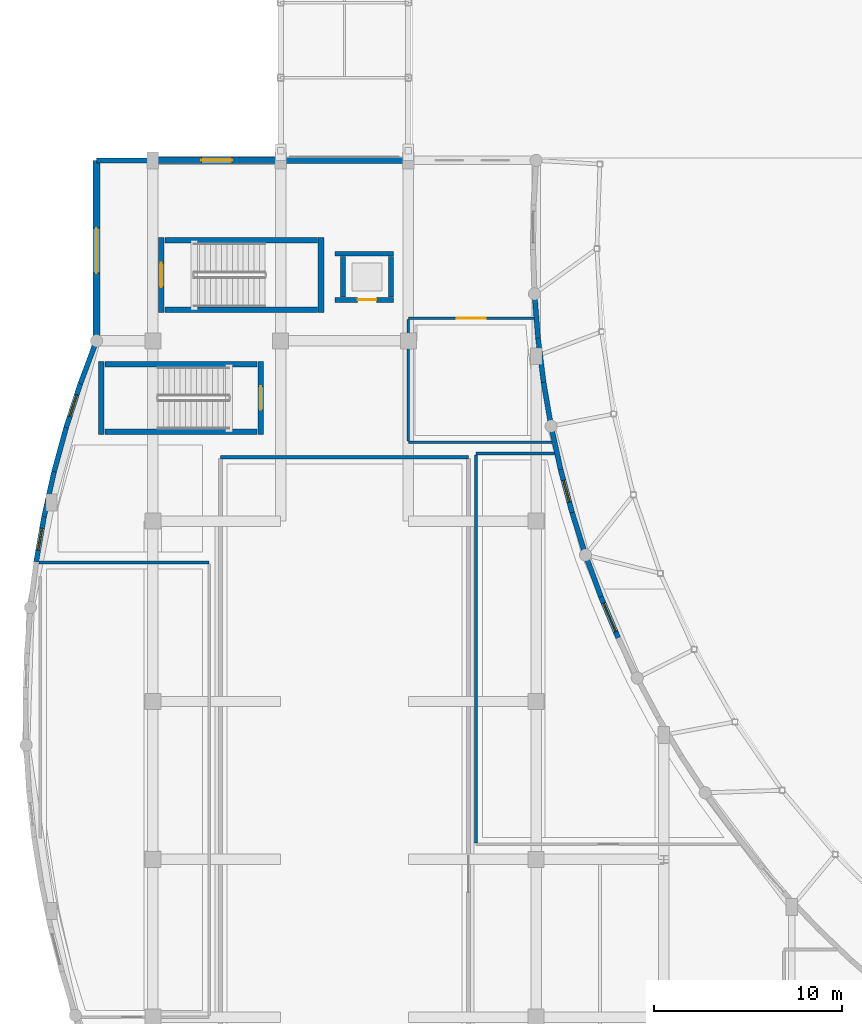
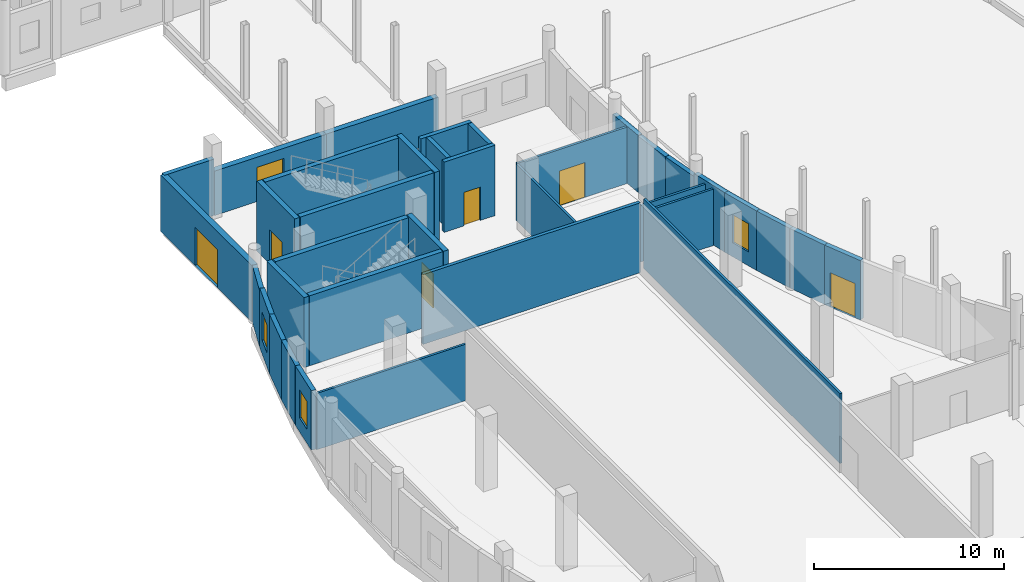
# One storey, part 62 of 97: 36 walls, 7 doors, 3 windows, 10 openings.
"""IFC4 building model written with IfcOpenShell, lengths in metres."""

from ifc_helpers import new_model, si_unit, direction, frame, frame_2d, origin, place, context, subcontext, project, spatial, rectangle, extrude, material, layer, layer_set, type_object, element, fill, save


model = new_model("IFC4")

# Units and contexts
model_context = context("Model", 3, precision=1e-05, world=origin(), true_north=direction((0.0, 1.0)))
body_context = subcontext(model_context, "Body", "Model", "MODEL_VIEW")
ifc_project = project(units=[si_unit("LENGTHUNIT", "METRE"), si_unit("AREAUNIT", "SQUARE_METRE"), si_unit("VOLUMEUNIT", "CUBIC_METRE"), si_unit("PLANEANGLEUNIT", "RADIAN"), si_unit("MASSUNIT", "GRAM", prefix="KILO")], contexts=[model_context])

# Site, building, storey
site_placement = place(None, origin())
site = spatial("IfcSite", under=ifc_project, at=site_placement, CompositionType="ELEMENT")
building_placement = place(site_placement, origin())
building = spatial("IfcBuilding", under=site, at=building_placement, Name="Kisaragi Civic Commons", CompositionType="ELEMENT")
storey_placement = place(building_placement, origin())
storey = spatial("IfcBuildingStorey", under=building, at=storey_placement, Name="L00", CompositionType="ELEMENT", Elevation=0.0)

# Wall, opening, door
ifc_material_1 = material(Name="Insulated Tokoname terracotta cavity wall", Category="masonry")
ifc_layer_1 = layer(ifc_material_1, 0.35009765625, Name="Insulated Tokoname terracotta cavity wall", Category="masonry")
ifc_layer_set_1 = layer_set([ifc_layer_1], Name="Insulated Tokoname terracotta cavity wall")
wall_type_1 = type_object("IfcWallType", Name="EW-02", PredefinedType="STANDARD", material=ifc_layer_set_1)
wall_1_placement = place(storey_placement, frame((3.800048828125, 52.800048828125, 0.0), z_axis=(0.0, 0.0, 1.0), x_axis=(0.0, 1.0, 0.0)))
wall_1 = element("IfcWall", 1, at=wall_1_placement, inside=storey, type_object=wall_type_1, Name="V1 L00 exterior terracotta wall EW-02 60", PredefinedType="STANDARD", context=body_context, shape_type="SweptSolid", body=[
    extrude(rectangle(XDim=9.599853515625, YDim=0.35009765625, at=frame_2d((4.7998046875, 0.0))), origin(), (0.0, 0.0, 1.0), 3.6201171875),
])
opening_1_placement = place(wall_1_placement, frame((3.60009765625, 0.0, 0.0)))
opening_1 = element("IfcOpeningElement", 2, at=opening_1_placement, cuts=wall_1, Name="Opening ED-C", PredefinedType="OPENING", context=body_context, shape_type="SweptSolid", body=[
    extrude(rectangle(XDim=2.39990234375, YDim=2.449951171875, at=frame_2d((1.199951171875, 1.22509765625))), frame((0.0, 0.18505859375, 0.0), z_axis=(0.0, -1.0, 0.0), x_axis=(1.0, 0.0, 0.0)), (0.0, 0.0, 1.0), 0.3701171875),
])
ifc_material_2 = material(Name="Thermally broken anodized aluminium glazed exit door", Category="aluminium")
door_type_1 = type_object("IfcDoorType", Name="ED-C", OperationType="NOTDEFINED", PredefinedType="DOOR", material=ifc_material_2)
door_1_placement = place(opening_1_placement, origin())
door_1 = element("IfcDoor", 3, at=door_1_placement, inside=storey, type_object=door_type_1, Name="Ground exterior exit and veranda door ED-C 04", OperationType="DOUBLE_DOOR_SINGLE_SWING", OverallHeight=2.449951171875, OverallWidth=2.39990234375, PredefinedType="DOOR", context=body_context, shape_type="SweptSolid", body=[
    extrude(rectangle(XDim=2.39990234375, YDim=2.449951171875, at=frame_2d((1.199951171875, 1.22509765625))), frame((0.0, 0.02490234375, 0.0), z_axis=(0.0, -1.0, 0.0), x_axis=(1.0, 0.0, 0.0)), (0.0, 0.0, 1.0), 0.050048828125),
])
fill(opening_1, door_1)

wall_2_placement = place(storey_placement, frame((6.800048828125, 62.39990234375, 0.0), z_axis=(0.0, 0.0, 1.0), x_axis=(1.0, 0.0, 0.0)))
wall_2 = element("IfcWall", 4, at=wall_2_placement, inside=storey, type_object=wall_type_1, Name="V1 L00 exterior terracotta wall EW-02 62", PredefinedType="STANDARD", context=body_context, shape_type="SweptSolid", body=[
    extrude(rectangle(XDim=6.800048828125, YDim=0.35009765625, at=frame_2d((3.39990234375, 0.0))), origin(), (0.0, 0.0, 1.0), 2.85498046875),
])
opening_2_placement = place(wall_2_placement, frame((2.574951171875, 0.0, 0.0)))
opening_2 = element("IfcOpeningElement", 5, at=opening_2_placement, cuts=wall_2, Name="Opening ED-D", PredefinedType="OPENING", context=body_context, shape_type="SweptSolid", body=[
    extrude(rectangle(XDim=1.64990234375, YDim=2.199951171875, at=frame_2d((0.824951171875, 1.10009765625))), frame((0.0, 0.18505859375, 0.0), z_axis=(0.0, -1.0, 0.0), x_axis=(1.0, 0.0, 0.0)), (0.0, 0.0, 1.0), 0.3701171875),
])
door_type_2 = type_object("IfcDoorType", Name="ED-D", OperationType="NOTDEFINED", PredefinedType="DOOR", material=ifc_material_2)
door_2_placement = place(opening_2_placement, origin())
door_2 = element("IfcDoor", 6, at=door_2_placement, inside=storey, type_object=door_type_2, Name="Ground exterior exit and veranda door ED-D 05", OperationType="DOUBLE_DOOR_SINGLE_SWING", OverallHeight=2.199951171875, OverallWidth=1.64990234375, PredefinedType="DOOR", context=body_context, shape_type="SweptSolid", body=[
    extrude(rectangle(XDim=1.64990234375, YDim=2.199951171875, at=frame_2d((0.824951171875, 1.10009765625))), frame((0.0, 0.02490234375, 0.0), z_axis=(0.0, -1.0, 0.0), x_axis=(1.0, 0.0, 0.0)), (0.0, 0.0, 1.0), 0.050048828125),
])
fill(opening_2, door_2)

# Walls
ifc_layer_2 = layer(ifc_material_1, 0.26806640625, Name="Insulated Tokoname terracotta cavity wall", Category="masonry")
ifc_layer_set_2 = layer_set([ifc_layer_2], Name="Insulated Tokoname terracotta cavity wall")
wall_type_2 = type_object("IfcWallType", Name="EW-04", PredefinedType="STANDARD", material=ifc_layer_set_2)
wall_3_placement = place(storey_placement, frame((27.114501953125, 55.30029296875, 0.0), z_axis=(0.0, 0.0, 1.0), x_axis=(0.078966698752, -0.996877254474, 0.0)))
element("IfcWall", 7, at=wall_3_placement, inside=storey, type_object=wall_type_2, Name="V1 L00 exterior terracotta wall EW-04 4", PredefinedType="STANDARD", context=body_context, shape_type="SweptSolid", body=[
    extrude(rectangle(XDim=2.3681640625, YDim=0.26806640625, at=frame_2d((1.18408203125, 0.0))), origin(), (0.0, 0.0, 1.0), 3.669921875),
])
wall_4_placement = place(storey_placement, frame((27.301513671875, 52.939453125, 0.0), z_axis=(0.0, 0.0, 1.0), x_axis=(0.124212348728, -0.992255658801, 0.0)))
element("IfcWall", 8, at=wall_4_placement, inside=storey, type_object=wall_type_2, Name="V1 L00 exterior terracotta wall EW-04 5", PredefinedType="STANDARD", context=body_context, shape_type="SweptSolid", body=[
    extrude(rectangle(XDim=2.368408203125, YDim=0.26806640625, at=frame_2d((1.18408203125, 0.0))), origin(), (0.0, 0.0, 1.0), 3.6201171875),
])
wall_5_placement = place(storey_placement, frame((27.595703125, 50.58935546875, 0.0), z_axis=(0.0, 0.0, 1.0), x_axis=(0.169378698951, -0.985551041977, 0.0)))
element("IfcWall", 9, at=wall_5_placement, inside=storey, type_object=wall_type_2, Name="V1 L00 exterior terracotta wall EW-04 6", PredefinedType="STANDARD", context=body_context, shape_type="SweptSolid", body=[
    extrude(rectangle(XDim=2.3681640625, YDim=0.26806640625, at=frame_2d((1.18408203125, 0.0))), origin(), (0.0, 0.0, 1.0), 3.6201171875),
])
wall_6_placement = place(storey_placement, frame((27.996826171875, 48.25537109375, 0.0), z_axis=(0.0, 0.0, 1.0), x_axis=(0.214004297627, -0.97683271884, 0.0)))
element("IfcWall", 10, at=wall_6_placement, inside=storey, type_object=wall_type_2, Name="V1 L00 exterior terracotta wall EW-04 7", PredefinedType="STANDARD", context=body_context, shape_type="SweptSolid", body=[
    extrude(rectangle(XDim=2.368408203125, YDim=0.26806640625, at=frame_2d((1.18408203125, 0.0))), origin(), (0.0, 0.0, 1.0), 3.820068359375),
])

# Wall, opening, window
wall_7_placement = place(storey_placement, frame((28.503662109375, 45.94189453125, 0.0), z_axis=(0.0, 0.0, 1.0), x_axis=(0.258316996005, -0.966060210119, 0.0)))
wall_7 = element("IfcWall", 11, at=wall_7_placement, inside=storey, type_object=wall_type_2, Name="V1 L00 exterior terracotta wall EW-04 8", PredefinedType="STANDARD", context=body_context, shape_type="SweptSolid", body=[
    extrude(rectangle(XDim=2.368408203125, YDim=0.26806640625, at=frame_2d((1.18408203125, 0.0))), origin(), (0.0, 0.0, 1.0), 3.820068359375),
])
opening_3_placement = place(wall_7_placement, frame((0.584228515625, 0.0, 0.89990234375)))
opening_3 = element("IfcOpeningElement", 12, at=opening_3_placement, cuts=wall_7, Name="Opening W-05", PredefinedType="OPENING", context=body_context, shape_type="SweptSolid", body=[
    extrude(rectangle(XDim=1.199951171875, YDim=1.800048828125, at=frame_2d((0.60009765625, 0.89990234375))), frame((0.0, 0.14404296875, 0.0), z_axis=(0.0, -1.0, 0.0), x_axis=(1.0, 0.0, 0.0)), (0.0, 0.0, 1.0), 0.2880859375),
])
ifc_material_3 = material(Name="Thermally broken aluminium frame and low-E argon double glazing", Category="aluminium")
window_type = type_object("IfcWindowType", Name="W-05", PartitioningType="SINGLE_PANEL", PredefinedType="WINDOW", material=ifc_material_3)
window_1_placement = place(opening_3_placement, origin())
window_1 = element("IfcWindow", 13, at=window_1_placement, inside=storey, type_object=window_type, Name="V1 L00 window W-05 1", OverallHeight=1.800048828125, OverallWidth=1.199951171875, PartitioningType="SINGLE_PANEL", PredefinedType="WINDOW", context=body_context, shape_type="SweptSolid", body=[
    extrude(rectangle(XDim=1.199951171875, YDim=1.800048828125, at=frame_2d((0.60009765625, 0.89990234375))), frame((0.0, 0.030029296875, 0.0), z_axis=(0.0, -1.0, 0.0), x_axis=(1.0, 0.0, 0.0)), (0.0, 0.0, 1.0), 0.06005859375),
])
fill(opening_3, window_1)

# Walls
for number, where, z_axis, x_axis, name in (
    (14, (29.115478515625, 43.65380859375, 0.0), (0.0, 0.0, 1.0), (0.301935426288, -0.953328379076, 0.0), "V1 L00 exterior terracotta wall EW-04 9"),
    (15, (29.83056640625, 41.39599609375, 0.0), (0.0, 0.0, 1.0), (0.345117725034, -0.938559404549, 0.0), "V1 L00 exterior terracotta wall EW-04 10"),
):
    element("IfcWall", number, at=place(storey_placement, frame(where, z_axis=z_axis, x_axis=x_axis)), inside=storey, type_object=wall_type_2, Name=name, PredefinedType="STANDARD", context=body_context, shape_type="SweptSolid", body=[
        extrude(rectangle(XDim=2.368408203125, YDim=0.26806640625, at=frame_2d((1.18408203125, 0.0))), origin(), (0.0, 0.0, 1.0), 3.820068359375),
    ])

# Wall, opening, door
wall_8_placement = place(storey_placement, frame((30.64794921875, 39.173095703125, 0.0), z_axis=(0.0, 0.0, 1.0), x_axis=(0.387526916132, -0.921858388948, 0.0)))
wall_8 = element("IfcWall", 16, at=wall_8_placement, inside=storey, type_object=wall_type_2, Name="V1 L00 exterior terracotta wall EW-04 11", PredefinedType="STANDARD", context=body_context, shape_type="SweptSolid", body=[
    extrude(rectangle(XDim=2.3681640625, YDim=0.26806640625, at=frame_2d((1.18408203125, 0.0))), origin(), (0.0, 0.0, 1.0), 3.820068359375),
])
opening_4_placement = place(wall_8_placement, frame((0.359130859375, 0.0, 0.0)))
opening_4 = element("IfcOpeningElement", 17, at=opening_4_placement, cuts=wall_8, Name="Opening ED-D", PredefinedType="OPENING", context=body_context, shape_type="SweptSolid", body=[
    extrude(rectangle(XDim=1.64990234375, YDim=2.199951171875, at=frame_2d((0.824951171875, 1.10009765625))), frame((0.0, 0.14404296875, 0.0), z_axis=(0.0, -1.0, 0.0), x_axis=(1.0, 0.0, 0.0)), (0.0, 0.0, 1.0), 0.2880859375),
])
door_3_placement = place(opening_4_placement, origin())
door_3 = element("IfcDoor", 18, at=door_3_placement, inside=storey, type_object=door_type_2, Name="Ground exterior exit and veranda door ED-D 01", OperationType="DOUBLE_DOOR_SINGLE_SWING", OverallHeight=2.199951171875, OverallWidth=1.64990234375, PredefinedType="DOOR", context=body_context, shape_type="SweptSolid", body=[
    extrude(rectangle(XDim=1.64990234375, YDim=2.199951171875, at=frame_2d((0.824951171875, 1.10009765625))), frame((0.0, 0.02490234375, 0.0), z_axis=(0.0, -1.0, 0.0), x_axis=(1.0, 0.0, 0.0)), (0.0, 0.0, 1.0), 0.050048828125),
])
fill(opening_4, door_3)

# Wall, opening, window
wall_9_placement = place(storey_placement, frame((0.587158203125, 41.030517578125, 0.0), z_axis=(0.0, 0.0, 1.0), x_axis=(0.171518128885, 0.985180963815, 0.0)))
wall_9 = element("IfcWall", 19, at=wall_9_placement, inside=storey, type_object=wall_type_2, Name="V1 L00 exterior terracotta wall EW-04 55", PredefinedType="STANDARD", context=body_context, shape_type="SweptSolid", body=[
    extrude(rectangle(XDim=2.4453125, YDim=0.26806640625, at=frame_2d((1.22265625, 0.0))), origin(), (0.0, 0.0, 1.0), 3.820068359375),
])
opening_5_placement = place(wall_9_placement, frame((0.622802734375, 0.0, 0.89990234375)))
opening_5 = element("IfcOpeningElement", 20, at=opening_5_placement, cuts=wall_9, Name="Opening W-05", PredefinedType="OPENING", context=body_context, shape_type="SweptSolid", body=[
    extrude(rectangle(XDim=1.199951171875, YDim=1.800048828125, at=frame_2d((0.60009765625, 0.89990234375))), frame((0.0, 0.14404296875, 0.0), z_axis=(0.0, -1.0, 0.0), x_axis=(1.0, 0.0, 0.0)), (0.0, 0.0, 1.0), 0.2880859375),
])
window_2_placement = place(opening_5_placement, origin())
window_2 = element("IfcWindow", 21, at=window_2_placement, inside=storey, type_object=window_type, Name="V1 L00 window W-05 15", OverallHeight=1.800048828125, OverallWidth=1.199951171875, PartitioningType="SINGLE_PANEL", PredefinedType="WINDOW", context=body_context, shape_type="SweptSolid", body=[
    extrude(rectangle(XDim=1.199951171875, YDim=1.800048828125, at=frame_2d((0.60009765625, 0.89990234375))), frame((0.0, 0.030029296875, 0.0), z_axis=(0.0, -1.0, 0.0), x_axis=(1.0, 0.0, 0.0)), (0.0, 0.0, 1.0), 0.06005859375),
])
fill(opening_5, window_2)

# Walls
wall_10_placement = place(storey_placement, frame((1.006591796875, 43.439697265625, 0.0), z_axis=(0.0, 0.0, 1.0), x_axis=(0.217744347035, 0.976005839805, 0.0)))
element("IfcWall", 22, at=wall_10_placement, inside=storey, type_object=wall_type_2, Name="V1 L00 exterior terracotta wall EW-04 56", PredefinedType="STANDARD", context=body_context, shape_type="SweptSolid", body=[
    extrude(rectangle(XDim=2.4453125, YDim=0.26806640625, at=frame_2d((1.22265625, 0.0))), origin(), (0.0, 0.0, 1.0), 3.820068359375),
])
wall_11_placement = place(storey_placement, frame((1.5390625, 45.826416015625, 0.0), z_axis=(0.0, 0.0, 1.0), x_axis=(0.26336237485, 0.964696978078, 0.0)))
element("IfcWall", 23, at=wall_11_placement, inside=storey, type_object=wall_type_2, Name="V1 L00 exterior terracotta wall EW-04 57", PredefinedType="STANDARD", context=body_context, shape_type="SweptSolid", body=[
    extrude(rectangle(XDim=2.445556640625, YDim=0.26806640625, at=frame_2d((1.22265625, 0.0))), origin(), (0.0, 0.0, 1.0), 3.820068359375),
])

# Wall, opening, window
wall_12_placement = place(storey_placement, frame((2.18310546875, 48.185546875, 0.0), z_axis=(0.0, 0.0, 1.0), x_axis=(0.308399711146, 0.951256862349, 0.0)))
wall_12 = element("IfcWall", 24, at=wall_12_placement, inside=storey, type_object=wall_type_2, Name="V1 L00 exterior terracotta wall EW-04 58", PredefinedType="STANDARD", context=body_context, shape_type="SweptSolid", body=[
    extrude(rectangle(XDim=2.4453125, YDim=0.26806640625, at=frame_2d((1.22265625, 0.0))), origin(), (0.0, 0.0, 1.0), 3.820068359375),
])
opening_6_placement = place(wall_12_placement, frame((0.622802734375, 0.0, 0.89990234375)))
opening_6 = element("IfcOpeningElement", 25, at=opening_6_placement, cuts=wall_12, Name="Opening W-05", PredefinedType="OPENING", context=body_context, shape_type="SweptSolid", body=[
    extrude(rectangle(XDim=1.199951171875, YDim=1.800048828125, at=frame_2d((0.60009765625, 0.89990234375))), frame((0.0, 0.14404296875, 0.0), z_axis=(0.0, -1.0, 0.0), x_axis=(1.0, 0.0, 0.0)), (0.0, 0.0, 1.0), 0.2880859375),
])
window_3_placement = place(opening_6_placement, origin())
window_3 = element("IfcWindow", 26, at=window_3_placement, inside=storey, type_object=window_type, Name="V1 L00 window W-05 16", OverallHeight=1.800048828125, OverallWidth=1.199951171875, PartitioningType="SINGLE_PANEL", PredefinedType="WINDOW", context=body_context, shape_type="SweptSolid", body=[
    extrude(rectangle(XDim=1.199951171875, YDim=1.800048828125, at=frame_2d((0.60009765625, 0.89990234375))), frame((0.0, 0.030029296875, 0.0), z_axis=(0.0, -1.0, 0.0), x_axis=(1.0, 0.0, 0.0)), (0.0, 0.0, 1.0), 0.06005859375),
])
fill(opening_6, window_3)

# Walls
wall_13_placement = place(storey_placement, frame((2.937255859375, 50.51171875, 0.0), z_axis=(0.0, 0.0, 1.0), x_axis=(0.352796730639, 0.93569998763, 0.0)))
element("IfcWall", 27, at=wall_13_placement, inside=storey, type_object=wall_type_2, Name="V1 L00 exterior terracotta wall EW-04 59", PredefinedType="STANDARD", context=body_context, shape_type="SweptSolid", body=[
    extrude(rectangle(XDim=2.445556640625, YDim=0.26806640625, at=frame_2d((1.22265625, 0.0))), origin(), (0.0, 0.0, 1.0), 3.6201171875),
])
wall_14_placement = place(storey_placement, frame((3.800048828125, 62.39990234375, 0.0), z_axis=(0.0, 0.0, 1.0), x_axis=(1.0, 0.0, 0.0)))
element("IfcWall", 28, at=wall_14_placement, inside=storey, type_object=wall_type_2, Name="V1 L00 exterior terracotta wall EW-04 61", PredefinedType="STANDARD", context=body_context, shape_type="SweptSolid", body=[
    extrude(rectangle(XDim=3.0, YDim=0.26806640625, at=frame_2d((1.5, 0.0))), origin(), (0.0, 0.0, 1.0), 3.6201171875),
])
ifc_layer_3 = layer(ifc_material_1, 0.3349609375, Name="Insulated Tokoname terracotta cavity wall", Category="masonry")
ifc_layer_set_3 = layer_set([ifc_layer_3], Name="Insulated Tokoname terracotta cavity wall")
wall_type_3 = type_object("IfcWallType", Name="EW-06", PredefinedType="STANDARD", material=ifc_layer_set_3)
wall_15_placement = place(storey_placement, frame((13.60009765625, 62.39990234375, 0.0), z_axis=(0.0, 0.0, 1.0), x_axis=(1.0, 0.0, 0.0)))
element("IfcWall", 29, at=wall_15_placement, inside=storey, type_object=wall_type_3, Name="V1 L00 exterior terracotta wall EW-06 63", PredefinedType="STANDARD", context=body_context, shape_type="SweptSolid", body=[
    extrude(rectangle(XDim=6.7998046875, YDim=0.3349609375, at=frame_2d((3.39990234375, 0.0))), origin(), (0.0, 0.0, 1.0), 2.85498046875),
])
ifc_material_4 = material(Name="Fire-rated double gypsum board on steel studs with mineral wool", Category="steel")
ifc_layer_4 = layer(ifc_material_4, 0.199951171875, Name="Fire-rated double gypsum board on steel studs with mineral wool", Category="steel")
ifc_layer_set_4 = layer_set([ifc_layer_4], Name="Fire-rated double gypsum board on steel studs with mineral wool")
wall_type_4 = type_object("IfcWallType", Name="FW-01", PredefinedType="STANDARD", material=ifc_layer_set_4)
wall_16_placement = place(storey_placement, frame((10.405029296875, 46.60009765625, 0.0), z_axis=(0.0, 0.0, 1.0), x_axis=(1.0, 0.0, 0.0)))
element("IfcWall", 30, at=wall_16_placement, inside=storey, type_object=wall_type_4, Name="L00 M0-01 partition FW-01 65", PredefinedType="STANDARD", context=body_context, shape_type="SweptSolid", body=[
    extrude(rectangle(XDim=13.18994140625, YDim=0.199951171875, at=frame_2d((6.594970703125, 0.0))), origin(), (0.0, 0.0, 1.0), 4.489990234375),
])
ifc_material_5 = material(Name="Acoustic gypsum board on light-gauge steel studs", Category="steel")
ifc_layer_5 = layer(ifc_material_5, 0.137939453125, Name="Acoustic gypsum board on light-gauge steel studs", Category="steel")
ifc_layer_set_5 = layer_set([ifc_layer_5], Name="Acoustic gypsum board on light-gauge steel studs")
wall_type_5 = type_object("IfcWallType", Name="IW-02", PredefinedType="STANDARD", material=ifc_layer_set_5)
wall_17_placement = place(storey_placement, frame((24.0, 26.074951171875, 0.0), z_axis=(0.0, 0.0, 1.0), x_axis=(0.0, 1.0, 0.0)))
element("IfcWall", 31, at=wall_17_placement, inside=storey, type_object=wall_type_5, Name="L00 M0-12 partition IW-02 50", PredefinedType="STANDARD", context=body_context, shape_type="SweptSolid", body=[
    extrude(rectangle(XDim=20.650146484375, YDim=0.137939453125, at=frame_2d((10.3251953125, 0.0))), origin(), (0.0, 0.0, 1.0), 4.489990234375),
])
wall_18_placement = place(storey_placement, frame((24.0048828125, 46.800048828125, 0.0), z_axis=(0.0, 0.0, 1.0), x_axis=(1.0, 0.0, 0.0)))
element("IfcWall", 32, at=wall_18_placement, inside=storey, type_object=wall_type_5, Name="L00 M0-12 partition IW-02 51", PredefinedType="STANDARD", context=body_context, shape_type="SweptSolid", body=[
    extrude(rectangle(XDim=4.168701171875, YDim=0.137939453125, at=frame_2d((2.08447265625, 0.0))), origin(), (0.0, 0.0, 1.0), 3.6201171875),
])
wall_19_placement = place(storey_placement, frame((28.042236328125, 47.39990234375, 0.0), z_axis=(0.0, 0.0, 1.0), x_axis=(-1.0, 0.0, 0.0)))
element("IfcWall", 33, at=wall_19_placement, inside=storey, type_object=wall_type_5, Name="L00 M0-13 partition IW-02 52", PredefinedType="STANDARD", context=body_context, shape_type="SweptSolid", body=[
    extrude(rectangle(XDim=7.63720703125, YDim=0.137939453125, at=frame_2d((3.818603515625, 0.0))), origin(), (0.0, 0.0, 1.0), 3.6201171875),
])
wall_20_placement = place(storey_placement, frame((20.39990234375, 47.47509765625, 0.0), z_axis=(0.0, 0.0, 1.0), x_axis=(0.0, 1.0, 0.0)))
element("IfcWall", 34, at=wall_20_placement, inside=storey, type_object=wall_type_5, Name="L00 M0-13 partition IW-02 53", PredefinedType="STANDARD", context=body_context, shape_type="SweptSolid", body=[
    extrude(rectangle(XDim=6.449951171875, YDim=0.137939453125, at=frame_2d((3.22509765625, 0.0))), origin(), (0.0, 0.0, 1.0), 3.6201171875),
])

# Wall, opening, door
wall_21_placement = place(storey_placement, frame((20.405029296875, 54.0, 0.0), z_axis=(0.0, 0.0, 1.0), x_axis=(1.0, 0.0, 0.0)))
wall_21 = element("IfcWall", 35, at=wall_21_placement, inside=storey, type_object=wall_type_5, Name="L00 M0-13 partition IW-02 54", PredefinedType="STANDARD", context=body_context, shape_type="SweptSolid", body=[
    extrude(rectangle(XDim=6.67041015625, YDim=0.137939453125, at=frame_2d((3.335205078125, 0.0))), origin(), (0.0, 0.0, 1.0), 3.6201171875),
])
opening_7_placement = place(wall_21_placement, frame((2.560302734375, 0.0, 0.0)))
opening_7 = element("IfcOpeningElement", 36, at=opening_7_placement, cuts=wall_21, Name="Opening ID-14", PredefinedType="OPENING", context=body_context, shape_type="SweptSolid", body=[
    extrude(rectangle(XDim=1.550048828125, YDim=2.239990234375, at=frame_2d((0.77490234375, 1.1201171875))), frame((0.0, 0.078857421875, 0.0), z_axis=(0.0, -1.0, 0.0), x_axis=(1.0, 0.0, 0.0)), (0.0, 0.0, 1.0), 0.157958984375),
])
ifc_material_6 = material(Name="Solid-core Japanese ash acoustic flush timber leaf in steel frame", Category="steel")
door_type_3 = type_object("IfcDoorType", Name="ID-14", OperationType="NOTDEFINED", PredefinedType="DOOR", material=ifc_material_6)
door_4_placement = place(opening_7_placement, origin())
door_4 = element("IfcDoor", 37, at=door_4_placement, inside=storey, type_object=door_type_3, Name="Community Information Lounge door ID-14", OperationType="DOUBLE_DOOR_SINGLE_SWING", OverallHeight=2.239990234375, OverallWidth=1.550048828125, PredefinedType="DOOR", context=body_context, shape_type="SweptSolid", body=[
    extrude(rectangle(XDim=1.550048828125, YDim=2.239990234375, at=frame_2d((0.77490234375, 1.1201171875))), frame((0.0, 0.02490234375, 0.0), z_axis=(0.0, -1.0, 0.0), x_axis=(1.0, 0.0, 0.0)), (0.0, 0.0, 1.0), 0.050048828125),
])
fill(opening_7, door_4)

# Wall
wall_22_placement = place(storey_placement, frame((0.725341796875, 41.0, 0.0), z_axis=(0.0, 0.0, 1.0), x_axis=(1.0, 0.0, 0.0)))
element("IfcWall", 38, at=wall_22_placement, inside=storey, type_object=wall_type_5, Name="L00 M0-02 partition IW-02 68", PredefinedType="STANDARD", context=body_context, shape_type="SweptSolid", body=[
    extrude(rectangle(XDim=9.069580078125, YDim=0.137939453125, at=frame_2d((4.53466796875, 0.0))), origin(), (0.0, 0.0, 1.0), 3.6201171875),
])

# Wall, opening, door
ifc_material_7 = material(Name="Concrete Fc36", Category="concrete")
ifc_layer_6 = layer(ifc_material_7, 0.300048828125, Name="Concrete Fc36", Category="concrete")
ifc_layer_set_6 = layer_set([ifc_layer_6], Name="Concrete Fc36")
wall_type_6 = type_object("IfcWallType", Name="SW-01", PredefinedType="SHEAR", material=ifc_layer_set_6)
wall_23_placement = place(storey_placement, frame((7.25, 58.300048828125, 0.0), z_axis=(0.0, 0.0, 1.0), x_axis=(0.0, -1.0, 0.0)))
wall_23 = element("IfcWall", 39, at=wall_23_placement, inside=storey, type_object=wall_type_6, Name="ST-M1 L00 entry RC shear wall", PredefinedType="SHEAR", context=body_context, shape_type="SweptSolid", body=[
    extrude(rectangle(XDim=4.0, YDim=0.300048828125, at=frame_2d((2.0, 0.0))), origin(), (0.0, 0.0, 1.0), 4.4951171875),
])
opening_8_placement = place(wall_23_placement, frame((1.35009765625, 0.0, 0.0)))
opening_8 = element("IfcOpeningElement", 40, at=opening_8_placement, cuts=wall_23, Name="Opening SD-02", PredefinedType="OPENING", context=body_context, shape_type="SweptSolid", body=[
    extrude(rectangle(XDim=1.300048828125, YDim=2.199951171875, at=frame_2d((0.64990234375, 1.10009765625))), frame((0.0, 0.159912109375, 0.0), z_axis=(0.0, -1.0, 0.0), x_axis=(1.0, 0.0, 0.0)), (0.0, 0.0, 1.0), 0.320068359375),
])
ifc_material_8 = material(Name="Insulated fire-rated pressed steel door assembly", Category="steel")
door_type_4 = type_object("IfcDoorType", Name="SD-02", OperationType="NOTDEFINED", PredefinedType="DOOR", material=ifc_material_8)
door_5_placement = place(opening_8_placement, frame((1.300048828125, 0.0, 0.0), z_axis=(0.0, 0.0, 1.0), x_axis=(-1.0, 0.0, 0.0)))
door_5 = element("IfcDoor", 41, at=door_5_placement, inside=storey, type_object=door_type_4, Name="ST-M1 L00 stair fire door 23", OperationType="SINGLE_SWING_LEFT", OverallHeight=2.199951171875, OverallWidth=1.300048828125, PredefinedType="DOOR", context=body_context, shape_type="SweptSolid", body=[
    extrude(rectangle(XDim=1.300048828125, YDim=2.199951171875, at=frame_2d((0.64990234375, 1.10009765625))), frame((0.0, 0.02490234375, 0.0), z_axis=(0.0, -1.0, 0.0), x_axis=(1.0, 0.0, 0.0)), (0.0, 0.0, 1.0), 0.050048828125),
])
fill(opening_8, door_5)

# Walls
wall_24_placement = place(storey_placement, frame((7.449951171875, 54.449951171875, 0.0), z_axis=(0.0, 0.0, 1.0), x_axis=(1.0, 0.0, 0.0)))
element("IfcWall", 42, at=wall_24_placement, inside=storey, type_object=wall_type_6, Name="ST-M1 L00 right RC shear wall", PredefinedType="SHEAR", context=body_context, shape_type="SweptSolid", body=[
    extrude(rectangle(XDim=8.10009765625, YDim=0.300048828125, at=frame_2d((4.050048828125, 0.0))), origin(), (0.0, 0.0, 1.0), 4.4951171875),
])
wall_25_placement = place(storey_placement, frame((15.75, 54.300048828125, 0.0), z_axis=(0.0, 0.0, 1.0), x_axis=(0.0, 1.0, 0.0)))
element("IfcWall", 43, at=wall_25_placement, inside=storey, type_object=wall_type_6, Name="ST-M1 L00 far RC shear wall", PredefinedType="SHEAR", context=body_context, shape_type="SweptSolid", body=[
    extrude(rectangle(XDim=4.0, YDim=0.300048828125, at=frame_2d((2.0, 0.0))), origin(), (0.0, 0.0, 1.0), 4.4951171875),
])
wall_26_placement = place(storey_placement, frame((15.550048828125, 58.14990234375, 0.0), z_axis=(0.0, 0.0, 1.0), x_axis=(-1.0, 0.0, 0.0)))
element("IfcWall", 44, at=wall_26_placement, inside=storey, type_object=wall_type_6, Name="ST-M1 L00 left RC shear wall", PredefinedType="SHEAR", context=body_context, shape_type="SweptSolid", body=[
    extrude(rectangle(XDim=8.10009765625, YDim=0.300048828125, at=frame_2d((4.050048828125, 0.0))), origin(), (0.0, 0.0, 1.0), 4.4951171875),
])

# Wall, opening, door
wall_27_placement = place(storey_placement, frame((12.550048828125, 47.800048828125, 0.0), z_axis=(0.0, 0.0, 1.0), x_axis=(0.0, 1.0, 0.0)))
wall_27 = element("IfcWall", 45, at=wall_27_placement, inside=storey, type_object=wall_type_6, Name="ST-M3 L00 entry RC shear wall", PredefinedType="SHEAR", context=body_context, shape_type="SweptSolid", body=[
    extrude(rectangle(XDim=3.89990234375, YDim=0.300048828125, at=frame_2d((1.949951171875, 0.0))), origin(), (0.0, 0.0, 1.0), 4.4951171875),
])
opening_9_placement = place(wall_27_placement, frame((1.324951171875, 0.0, 0.0)))
opening_9 = element("IfcOpeningElement", 46, at=opening_9_placement, cuts=wall_27, Name="Opening SD-01", PredefinedType="OPENING", context=body_context, shape_type="SweptSolid", body=[
    extrude(rectangle(XDim=1.25, YDim=2.199951171875, at=frame_2d((0.625, 1.10009765625))), frame((0.0, 0.159912109375, 0.0), z_axis=(0.0, -1.0, 0.0), x_axis=(1.0, 0.0, 0.0)), (0.0, 0.0, 1.0), 0.320068359375),
])
door_type_5 = type_object("IfcDoorType", Name="SD-01", OperationType="NOTDEFINED", PredefinedType="DOOR", material=ifc_material_8)
door_6_placement = place(opening_9_placement, frame((1.25, 0.0, 0.0), z_axis=(0.0, 0.0, 1.0), x_axis=(-1.0, 0.0, 0.0)))
door_6 = element("IfcDoor", 47, at=door_6_placement, inside=storey, type_object=door_type_5, Name="ST-M3 L00 stair fire door 27", OperationType="SINGLE_SWING_LEFT", OverallHeight=2.199951171875, OverallWidth=1.25, PredefinedType="DOOR", context=body_context, shape_type="SweptSolid", body=[
    extrude(rectangle(XDim=1.25, YDim=2.199951171875, at=frame_2d((0.625, 1.10009765625))), frame((0.0, 0.02490234375, 0.0), z_axis=(0.0, -1.0, 0.0), x_axis=(1.0, 0.0, 0.0)), (0.0, 0.0, 1.0), 0.050048828125),
])
fill(opening_9, door_6)

# Walls
wall_28_placement = place(storey_placement, frame((12.35009765625, 51.550048828125, 0.0), z_axis=(0.0, 0.0, 1.0), x_axis=(-1.0, 0.0, 0.0)))
element("IfcWall", 48, at=wall_28_placement, inside=storey, type_object=wall_type_6, Name="ST-M3 L00 right RC shear wall", PredefinedType="SHEAR", context=body_context, shape_type="SweptSolid", body=[
    extrude(rectangle(XDim=8.10009765625, YDim=0.300048828125, at=frame_2d((4.050048828125, 0.0))), origin(), (0.0, 0.0, 1.0), 4.4951171875),
])
wall_29_placement = place(storey_placement, frame((4.050048828125, 51.699951171875, 0.0), z_axis=(0.0, 0.0, 1.0), x_axis=(0.0, -1.0, 0.0)))
element("IfcWall", 49, at=wall_29_placement, inside=storey, type_object=wall_type_6, Name="ST-M3 L00 far RC shear wall", PredefinedType="SHEAR", context=body_context, shape_type="SweptSolid", body=[
    extrude(rectangle(XDim=3.89990234375, YDim=0.300048828125, at=frame_2d((1.949951171875, 0.0))), origin(), (0.0, 0.0, 1.0), 4.4951171875),
])
wall_30_placement = place(storey_placement, frame((4.25, 47.949951171875, 0.0), z_axis=(0.0, 0.0, 1.0), x_axis=(1.0, 0.0, 0.0)))
element("IfcWall", 50, at=wall_30_placement, inside=storey, type_object=wall_type_6, Name="ST-M3 L00 left RC shear wall", PredefinedType="SHEAR", context=body_context, shape_type="SweptSolid", body=[
    extrude(rectangle(XDim=8.10009765625, YDim=0.300048828125, at=frame_2d((4.050048828125, 0.0))), origin(), (0.0, 0.0, 1.0), 4.4951171875),
])

# Wall, opening, door
ifc_layer_7 = layer(ifc_material_7, 0.25, Name="Concrete Fc36", Category="concrete")
ifc_layer_set_7 = layer_set([ifc_layer_7], Name="Concrete Fc36")
wall_type_7 = type_object("IfcWallType", Name="SW-02", PredefinedType="SHEAR", material=ifc_layer_set_7)
wall_31_placement = place(storey_placement, frame((19.60009765625, 54.97509765625, 0.0), z_axis=(0.0, 0.0, 1.0), x_axis=(-1.0, 0.0, 0.0)))
wall_31 = element("IfcWall", 51, at=wall_31_placement, inside=storey, type_object=wall_type_7, Name="EL-M1 L00 south lift shaft wall", PredefinedType="SHEAR", context=body_context, shape_type="SweptSolid", body=[
    extrude(rectangle(XDim=3.10009765625, YDim=0.25, at=frame_2d((1.550048828125, 0.0))), origin(), (0.0, 0.0, 1.0), 4.52001953125),
])
opening_10_placement = place(wall_31_placement, frame((0.89990234375, 0.0, 0.0)))
opening_10 = element("IfcOpeningElement", 52, at=opening_10_placement, cuts=wall_31, Name="Opening LD-02", PredefinedType="OPENING", context=body_context, shape_type="SweptSolid", body=[
    extrude(rectangle(XDim=1.0, YDim=2.14990234375, at=frame_2d((0.5, 1.074951171875))), frame((0.0, 0.135009765625, 0.0), z_axis=(0.0, -1.0, 0.0), x_axis=(1.0, 0.0, 0.0)), (0.0, 0.0, 1.0), 0.27001953125),
])
ifc_material_9 = material(Name="Brushed stainless steel bi-parting landing door", Category="steel")
door_type_6 = type_object("IfcDoorType", Name="LD-02", OperationType="NOTDEFINED", PredefinedType="DOOR", material=ifc_material_9)
door_7_placement = place(opening_10_placement, origin())
door_7 = element("IfcDoor", 53, at=door_7_placement, inside=storey, type_object=door_type_6, Name="EL-M1 L00 sliding lift landing door", OperationType="DOUBLE_DOOR_SLIDING", OverallHeight=2.14990234375, OverallWidth=1.0, PredefinedType="DOOR", context=body_context, shape_type="SweptSolid", body=[
    extrude(rectangle(XDim=1.0, YDim=2.14990234375, at=frame_2d((0.5, 1.074951171875))), frame((0.0, 0.02490234375, 0.0), z_axis=(0.0, -1.0, 0.0), x_axis=(1.0, 0.0, 0.0)), (0.0, 0.0, 1.0), 0.050048828125),
])
fill(opening_10, door_7)

# Walls
wall_32_placement = place(storey_placement, frame((16.925048828125, 55.1201171875, 0.0), z_axis=(0.0, 0.0, 1.0), x_axis=(0.0, 1.0, 0.0)))
element("IfcWall", 54, at=wall_32_placement, inside=storey, type_object=wall_type_7, Name="EL-M1 L00 west lift shaft wall", PredefinedType="SHEAR", context=body_context, shape_type="SweptSolid", body=[
    extrude(rectangle(XDim=2.159912109375, YDim=0.25, at=frame_2d((1.080078125, 0.0))), origin(), (0.0, 0.0, 1.0), 4.52001953125),
])
wall_33_placement = place(storey_placement, frame((16.5, 57.425048828125, 0.0), z_axis=(0.0, 0.0, 1.0), x_axis=(1.0, 0.0, 0.0)))
element("IfcWall", 55, at=wall_33_placement, inside=storey, type_object=wall_type_7, Name="EL-M1 L00 north lift shaft wall", PredefinedType="SHEAR", context=body_context, shape_type="SweptSolid", body=[
    extrude(rectangle(XDim=3.10009765625, YDim=0.25, at=frame_2d((1.550048828125, 0.0))), origin(), (0.0, 0.0, 1.0), 4.52001953125),
])
wall_34_placement = place(storey_placement, frame((19.47509765625, 57.280029296875, 0.0), z_axis=(0.0, 0.0, 1.0), x_axis=(0.0, -1.0, 0.0)))
element("IfcWall", 56, at=wall_34_placement, inside=storey, type_object=wall_type_7, Name="EL-M1 L00 east lift shaft wall", PredefinedType="SHEAR", context=body_context, shape_type="SweptSolid", body=[
    extrude(rectangle(XDim=2.159912109375, YDim=0.25, at=frame_2d((1.080078125, 0.0))), origin(), (0.0, 0.0, 1.0), 4.52001953125),
])

save(model, "model.ifc")
